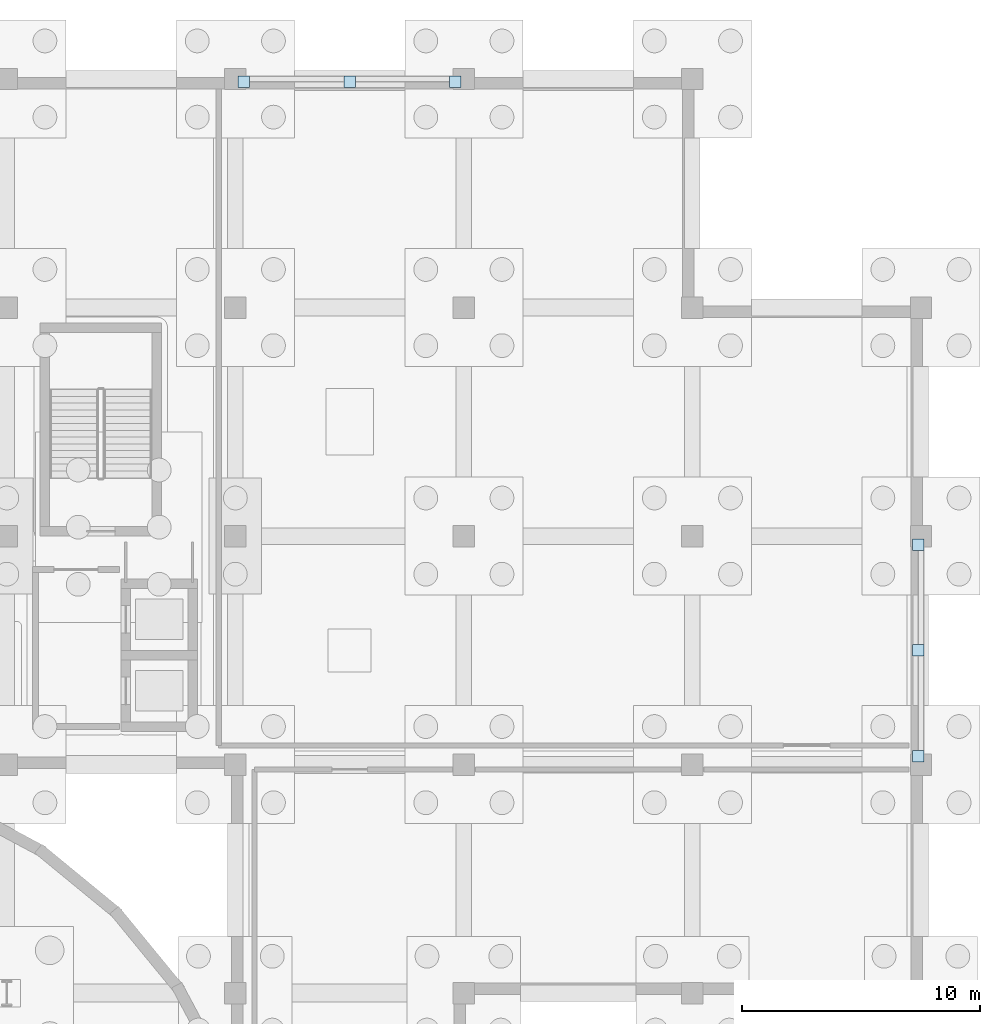
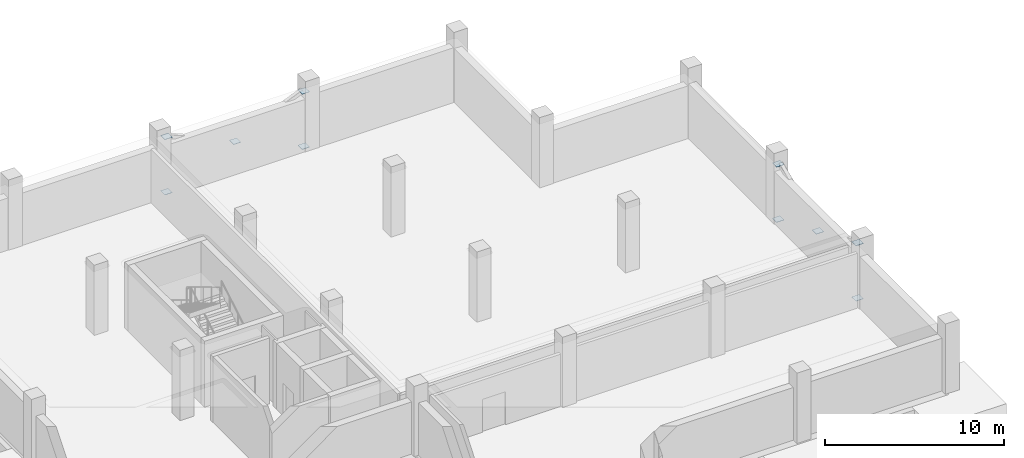
# One storey, part 25 of 67: 10 plates.
"""IFC4 building model written with IfcOpenShell, lengths in metres."""

from ifc_helpers import new_model, si_unit, direction, frame, origin, origin_2d, place, context, subcontext, project, spatial, rectangle, extrude, material, layer, layer_set, type_object, element, save


model = new_model("IFC4")

# Units and contexts
model_context = context("Model", 3, precision=1e-05, world=origin(), true_north=direction((0.0, 1.0)))
body_context = subcontext(model_context, "Body", "Model", "MODEL_VIEW")
ifc_project = project(units=[si_unit("LENGTHUNIT", "METRE"), si_unit("AREAUNIT", "SQUARE_METRE"), si_unit("VOLUMEUNIT", "CUBIC_METRE"), si_unit("PLANEANGLEUNIT", "RADIAN"), si_unit("MASSUNIT", "GRAM", prefix="KILO")], contexts=[model_context])

# Site, building, storey
site_placement = place(None, origin())
site = spatial("IfcSite", under=ifc_project, at=site_placement, CompositionType="ELEMENT")
building_placement = place(site_placement, origin())
building = spatial("IfcBuilding", under=site, at=building_placement, Name="Caelomonte Colonnade Arena", CompositionType="ELEMENT")
storey_placement = place(building_placement, frame((0.0, 0.0, -4.800048828125)))
storey = spatial("IfcBuildingStorey", under=building, at=storey_placement, Name="B1", CompositionType="ELEMENT", Elevation=-4.800048828125)

# Plates
ifc_material = material(Name="Steel ASTM A572 Grade 50", Category="steel")
ifc_layer = layer(ifc_material, 0.02490234375)
ifc_layer_set = layer_set([ifc_layer], Name="Steel ASTM A572 Grade 50")
plate_type = type_object("IfcPlateType", Name="STR-PL-PN01", PredefinedType="USERDEFINED", material=ifc_layer_set)
for number, where, z_axis, x_axis, name in (
    (1, (168.0, 143.885009765625, 2.03759765625), (0.0, 0.0, 1.0), (1.0, 0.0, 0.0), "Braced frame BF3 B1 gusset plate X"),
    (2, (163.56005859375, 143.885009765625, 0.147705078125), (0.0, 0.0, 1.0), (1.0, 0.0, 0.0), "Braced frame BF3 B1 gusset plate BL"),
    (3, (172.43994140625, 143.885009765625, 0.147705078125), (0.0, 0.0, 1.0), (1.0, 0.0, 0.0), "Braced frame BF3 B1 gusset plate BR"),
    (4, (163.56005859375, 143.885009765625, 3.927490234375), (0.0, 0.0, 1.0), (1.0, 0.0, 0.0), "Braced frame BF3 B1 gusset plate TL"),
    (5, (172.43994140625, 143.885009765625, 3.927490234375), (0.0, 0.0, 1.0), (1.0, 0.0, 0.0), "Braced frame BF3 B1 gusset plate TR"),
    (6, (191.885009765625, 120.0, 2.03759765625), (0.0, 0.0, 1.0), (1.0, 0.0, 0.0), "Braced frame BF4 B1 gusset plate X"),
    (7, (191.885009765625, 115.56005859375, 0.147705078125), (0.0, 0.0, 1.0), (1.0, 0.0, 0.0), "Braced frame BF4 B1 gusset plate BL"),
    (8, (191.885009765625, 124.43994140625, 0.147705078125), (0.0, 0.0, 1.0), (1.0, 0.0, 0.0), "Braced frame BF4 B1 gusset plate BR"),
    (9, (191.885009765625, 115.56005859375, 3.927490234375), (0.0, 0.0, 1.0), (1.0, 0.0, 0.0), "Braced frame BF4 B1 gusset plate TL"),
    (10, (191.885009765625, 124.43994140625, 3.927490234375), (0.0, 0.0, 1.0), (1.0, 0.0, 0.0), "Braced frame BF4 B1 gusset plate TR"),
):
    element("IfcPlate", number, at=place(storey_placement, frame(where, z_axis=z_axis, x_axis=x_axis)), inside=storey, type_object=plate_type, Name=name, ObjectType="GUSSET PLATE", PredefinedType="USERDEFINED", context=body_context, shape_type="SweptSolid", body=[
        extrude(rectangle(XDim=0.47998046875, YDim=0.47998046875, at=origin_2d()), origin(), (0.0, 0.0, 1.0), 0.02490234375),
    ])

save(model, "model.ifc")
